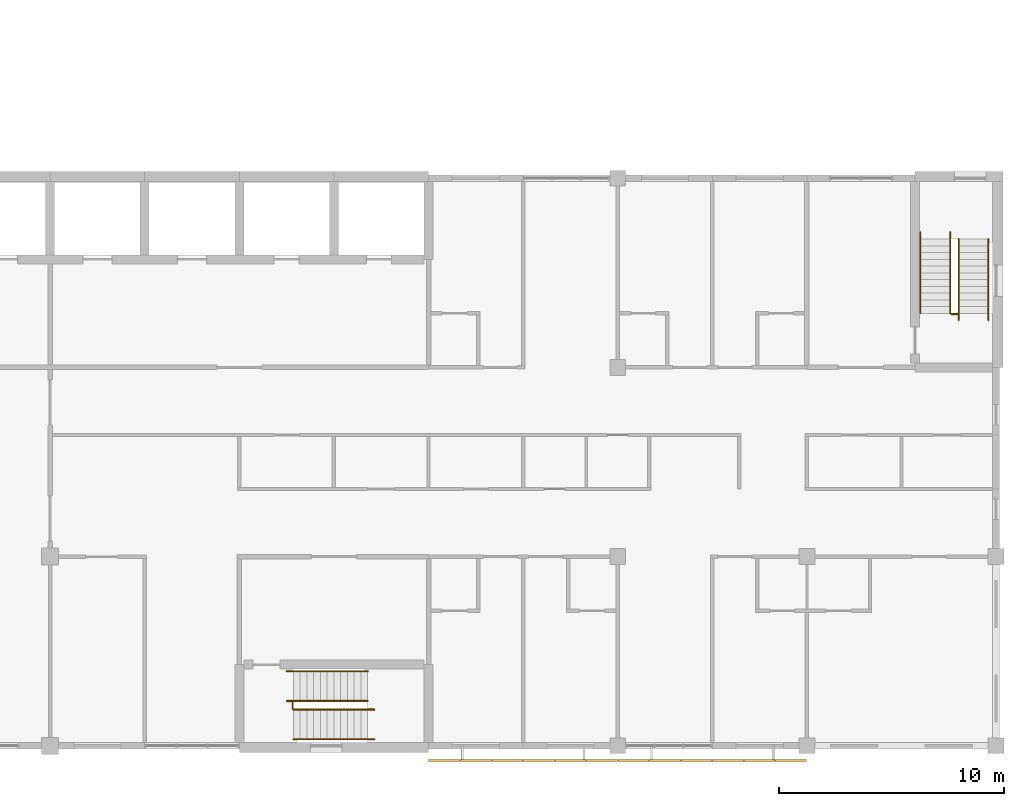
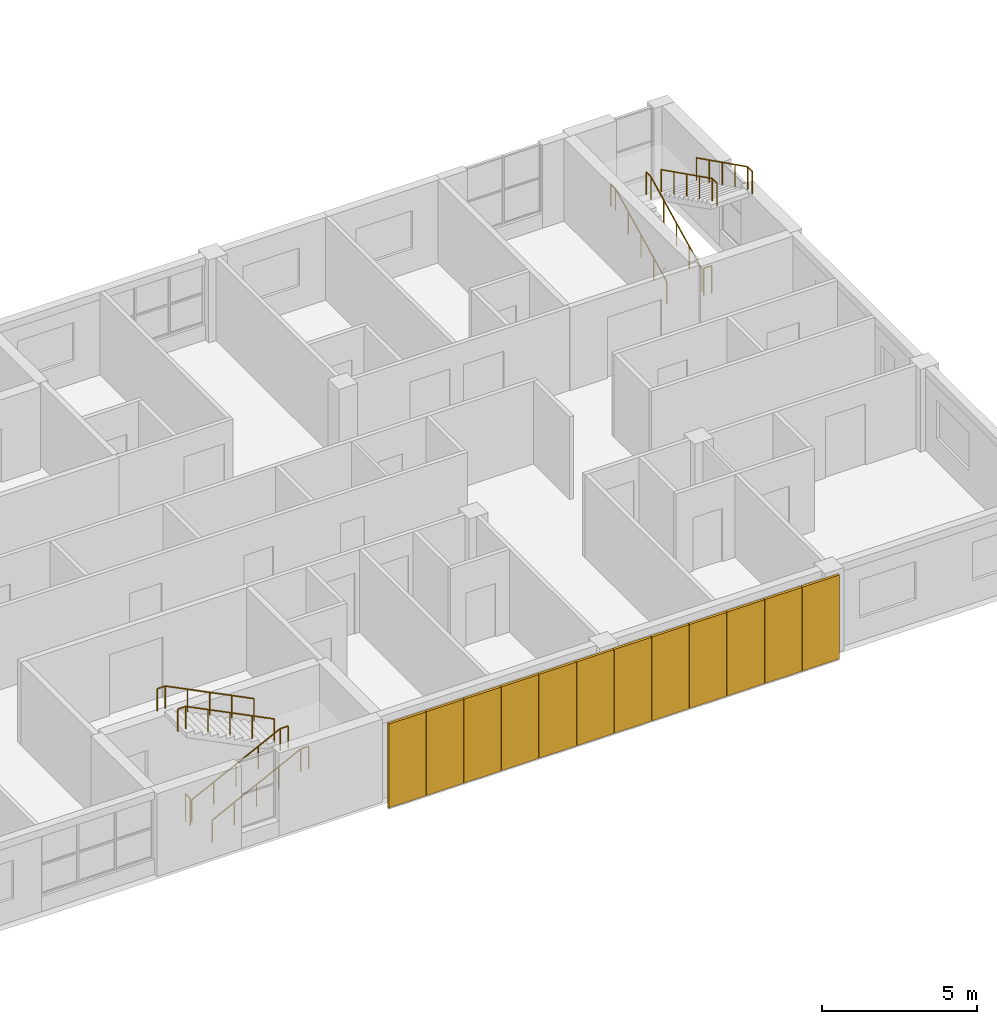
# One storey, part 45 of 45: 12 shading devices, 10 railings.
"""IFC4 building model written with IfcOpenShell, lengths in metres."""

from ifc_helpers import new_model, si_unit, direction, frame, origin, origin_2d, place, context, subcontext, project, spatial, rectangle, circle, extrude, material, layer, layer_set, type_object, element, save


model = new_model("IFC4")

# Units and contexts
model_context = context("Model", 3, precision=1e-05, world=origin(), true_north=direction((0.0, 1.0)))
body_context = subcontext(model_context, "Body", "Model", "MODEL_VIEW")
ifc_project = project(units=[si_unit("LENGTHUNIT", "METRE"), si_unit("AREAUNIT", "SQUARE_METRE"), si_unit("VOLUMEUNIT", "CUBIC_METRE"), si_unit("PLANEANGLEUNIT", "RADIAN"), si_unit("MASSUNIT", "GRAM", prefix="KILO")], contexts=[model_context])

# Site, building, storey
site_placement = place(None, origin())
site = spatial("IfcSite", under=ifc_project, at=site_placement, CompositionType="ELEMENT")
building_placement = place(site_placement, origin())
building = spatial("IfcBuilding", under=site, at=building_placement, Name="Yavir Park General Hospital", CompositionType="ELEMENT")
storey_placement = place(building_placement, frame((0.0, 0.0, 22.5)))
storey = spatial("IfcBuildingStorey", under=building, at=storey_placement, Name="L05", CompositionType="ELEMENT", Elevation=22.5)

# Shading devices
ifc_material_1 = material(Name="Precast concrete perforated block panel", Category="concrete")
ifc_layer = layer(ifc_material_1, 0.092041015625)
ifc_layer_set = layer_set([ifc_layer], Name="Precast concrete perforated block panel")
shading_device_type = type_object("IfcShadingDeviceType", Name="Precast breeze-block screen panel 1380 x 3300 x 92", PredefinedType="JALOUSIE", material=ifc_layer_set)
for number, where, z_axis, x_axis, name in (
    (1, (143.5, -0.64990234375, 0.0), (0.0, 0.0, 1.0), (1.0, 0.0, 0.0), "Screen panel S18.3.1"),
    (2, (144.89990234375, -0.64990234375, 0.0), (0.0, 0.0, 1.0), (1.0, 0.0, 0.0), "Screen panel S18.3.2"),
    (3, (146.300048828125, -0.64990234375, 0.0), (0.0, 0.0, 1.0), (1.0, 0.0, 0.0), "Screen panel S18.3.3"),
    (4, (147.699951171875, -0.64990234375, 0.0), (0.0, 0.0, 1.0), (1.0, 0.0, 0.0), "Screen panel S18.3.4"),
    (5, (149.10009765625, -0.64990234375, 0.0), (0.0, 0.0, 1.0), (1.0, 0.0, 0.0), "Screen panel S18.3.5"),
    (6, (150.5, -0.64990234375, 0.0), (0.0, 0.0, 1.0), (1.0, 0.0, 0.0), "Screen panel S18.3.6"),
    (7, (151.89990234375, -0.64990234375, 0.0), (0.0, 0.0, 1.0), (1.0, 0.0, 0.0), "Screen panel S19.3.1"),
    (8, (153.300048828125, -0.64990234375, 0.0), (0.0, 0.0, 1.0), (1.0, 0.0, 0.0), "Screen panel S19.3.2"),
    (9, (154.699951171875, -0.64990234375, 0.0), (0.0, 0.0, 1.0), (1.0, 0.0, 0.0), "Screen panel S19.3.3"),
    (10, (156.10009765625, -0.64990234375, 0.0), (0.0, 0.0, 1.0), (1.0, 0.0, 0.0), "Screen panel S19.3.4"),
    (11, (157.5, -0.64990234375, 0.0), (0.0, 0.0, 1.0), (1.0, 0.0, 0.0), "Screen panel S19.3.5"),
    (12, (158.89990234375, -0.64990234375, 0.0), (0.0, 0.0, 1.0), (1.0, 0.0, 0.0), "Screen panel S19.3.6"),
):
    element("IfcShadingDevice", number, at=place(storey_placement, frame(where, z_axis=z_axis, x_axis=x_axis)), inside=storey, type_object=shading_device_type, Name=name, PredefinedType="JALOUSIE", context=body_context, shape_type="SweptSolid", body=[
        extrude(rectangle(XDim=1.3798828125, YDim=0.092041015625, at=origin_2d()), origin(), (0.0, 0.0, 1.0), 3.300048828125),
    ])

# Railings
ifc_material_2 = material(Name="Steel balustrade with infill rods", Category="steel")
railing_type_1 = type_object("IfcRailingType", Name="Stair guard, steel balustrade 1100 mm", PredefinedType="GUARDRAIL", material=ifc_material_2)
railing_1_placement = place(storey_placement, frame((136.77001953125, 1.64990234375, 0.0)))
element("IfcRailing", 13, at=railing_1_placement, inside=storey, type_object=railing_type_1, Name="Stair well guard SU5 L05", PredefinedType="GUARDRAIL", context=body_context, shape_type="SweptSolid", body=[
    extrude(circle(Radius=0.02392578125, at=origin_2d()), frame((0.0, 0.0, 1.076171875), z_axis=(0.0, 1.0, 0.0), x_axis=(-1.0, 0.0, 0.0)), (0.0, 0.0, 1.0), 0.300048828125),
    extrude(circle(Radius=0.02099609375, at=origin_2d()), origin(), (0.0, 0.0, 1.0), 1.052001953125),
    extrude(circle(Radius=0.02099609375, at=origin_2d()), frame((0.0, 0.300048828125, 0.0)), (0.0, 0.0, 1.0), 1.052001953125),
])
railing_2_placement = place(storey_placement, frame((166.0, 19.169921875, 0.0)))
element("IfcRailing", 14, at=railing_2_placement, inside=storey, type_object=railing_type_1, Name="Stair well guard SU6 L05", PredefinedType="GUARDRAIL", context=body_context, shape_type="SweptSolid", body=[
    extrude(circle(Radius=0.02392578125, at=origin_2d()), frame((0.0, 0.0, 1.076171875), z_axis=(1.0, 0.0, 0.0), x_axis=(0.0, 1.0, 0.0)), (0.0, 0.0, 1.0), 0.300048828125),
    extrude(circle(Radius=0.02099609375, at=origin_2d()), origin(), (0.0, 0.0, 1.0), 1.052001953125),
    extrude(circle(Radius=0.02099609375, at=origin_2d()), frame((0.300048828125, 0.0, 0.0)), (0.0, 0.0, 1.0), 1.052001953125),
])
ifc_material_3 = material(Name="Stainless steel tube 48 mm", Category="steel")
railing_type_2 = type_object("IfcRailingType", Name="Stair handrail, steel tube, 900 mm above the nosings", PredefinedType="HANDRAIL", material=ifc_material_3)
for number, where, name in (
    (15, (136.800048828125, 0.2900390625, 0.14990234375), "Handrail SU5 L05 1"),
    (16, (136.800048828125, 1.610107421875, 0.14990234375), "Handrail SU5 L05 2"),
):
    element("IfcRailing", number, at=place(storey_placement, frame(where)), inside=storey, type_object=railing_type_2, Name=name, PredefinedType="HANDRAIL", context=body_context, shape_type="SweptSolid", body=[
        extrude(circle(Radius=0.02392578125, at=origin_2d()), frame((0.0, 0.0, 0.8759765625), z_axis=(0.894413956696, 0.0, 0.447240063129), x_axis=(0.0, 1.0, 0.0)), (0.0, 0.0, 1.0), 3.689697265625),
        extrude(circle(Radius=0.02392578125, at=origin_2d()), frame((3.300048828125, 0.0, 2.52587890625), z_axis=(1.0, 0.0, 0.0), x_axis=(0.0, 1.0, 0.0)), (0.0, 0.0, 1.0), 0.2998046875),
        extrude(circle(Radius=0.02099609375, at=origin_2d()), origin(), (0.0, 0.0, 1.0), 0.851806640625),
        extrude(circle(Radius=0.02099609375, at=origin_2d()), frame((0.824951171875, 0.0, 0.41259765625)), (0.0, 0.0, 1.0), 0.851806640625),
        extrude(circle(Radius=0.02099609375, at=origin_2d()), frame((1.64990234375, 0.0, 0.8251953125)), (0.0, 0.0, 1.0), 0.851806640625),
        extrude(circle(Radius=0.02099609375, at=origin_2d()), frame((2.47509765625, 0.0, 1.237548828125)), (0.0, 0.0, 1.0), 0.851806640625),
        extrude(circle(Radius=0.02099609375, at=origin_2d()), frame((3.300048828125, 0.0, 1.650146484375)), (0.0, 0.0, 1.0), 0.851806640625),
        extrude(circle(Radius=0.02099609375, at=origin_2d()), frame((3.599853515625, 0.0, 1.650146484375)), (0.0, 0.0, 1.0), 0.851806640625),
    ])
for number, where, name in (
    (17, (140.10009765625, 3.31005859375, 1.949951171875), "Handrail SU5 L05 3"),
    (18, (140.10009765625, 1.989990234375, 1.949951171875), "Handrail SU5 L05 4"),
):
    element("IfcRailing", number, at=place(storey_placement, frame(where)), inside=storey, type_object=railing_type_2, Name=name, PredefinedType="HANDRAIL", context=body_context, shape_type="SweptSolid", body=[
        extrude(circle(Radius=0.02392578125, at=origin_2d()), frame((0.0, 0.0, 0.8759765625), z_axis=(-0.894413956696, 0.0, 0.447240063129), x_axis=(0.0, -1.0, 0.0)), (0.0, 0.0, 1.0), 3.689697265625),
        extrude(circle(Radius=0.02392578125, at=origin_2d()), frame((-3.300048828125, 0.0, 2.52587890625), z_axis=(-1.0, 0.0, 0.0), x_axis=(0.0, -1.0, 0.0)), (0.0, 0.0, 1.0), 0.300048828125),
        extrude(circle(Radius=0.02099609375, at=origin_2d()), origin(), (0.0, 0.0, 1.0), 0.851806640625),
        extrude(circle(Radius=0.02099609375, at=origin_2d()), frame((-0.824951171875, 0.0, 0.41259765625)), (0.0, 0.0, 1.0), 0.851806640625),
        extrude(circle(Radius=0.02099609375, at=origin_2d()), frame((-1.64990234375, 0.0, 0.8251953125)), (0.0, 0.0, 1.0), 0.851806640625),
        extrude(circle(Radius=0.02099609375, at=origin_2d()), frame((-2.47509765625, 0.0, 1.237548828125)), (0.0, 0.0, 1.0), 0.851806640625),
        extrude(circle(Radius=0.02099609375, at=origin_2d()), frame((-3.300048828125, 0.0, 1.650146484375)), (0.0, 0.0, 1.0), 0.851806640625),
        extrude(circle(Radius=0.02099609375, at=origin_2d()), frame((-3.60009765625, 0.0, 1.650146484375)), (0.0, 0.0, 1.0), 0.851806640625),
    ])
for number, where, name in (
    (19, (164.639892578125, 19.199951171875, 0.14990234375), "Handrail SU6 L05 1"),
    (20, (165.9599609375, 19.199951171875, 0.14990234375), "Handrail SU6 L05 2"),
):
    element("IfcRailing", number, at=place(storey_placement, frame(where)), inside=storey, type_object=railing_type_2, Name=name, PredefinedType="HANDRAIL", context=body_context, shape_type="SweptSolid", body=[
        extrude(circle(Radius=0.02392578125, at=origin_2d()), frame((0.0, 0.0, 0.8759765625), z_axis=(0.0, 0.894413956696, 0.447240063129), x_axis=(-1.0, 0.0, 0.0)), (0.0, 0.0, 1.0), 3.689697265625),
        extrude(circle(Radius=0.02392578125, at=origin_2d()), frame((0.0, 3.300048828125, 2.52587890625), z_axis=(0.0, 1.0, 0.0), x_axis=(-1.0, 0.0, 0.0)), (0.0, 0.0, 1.0), 0.300048828125),
        extrude(circle(Radius=0.02099609375, at=origin_2d()), origin(), (0.0, 0.0, 1.0), 0.851806640625),
        extrude(circle(Radius=0.02099609375, at=origin_2d()), frame((0.0, 0.824951171875, 0.41259765625)), (0.0, 0.0, 1.0), 0.851806640625),
        extrude(circle(Radius=0.02099609375, at=origin_2d()), frame((0.0, 1.64990234375, 0.8251953125)), (0.0, 0.0, 1.0), 0.851806640625),
        extrude(circle(Radius=0.02099609375, at=origin_2d()), frame((0.0, 2.47509765625, 1.237548828125)), (0.0, 0.0, 1.0), 0.851806640625),
        extrude(circle(Radius=0.02099609375, at=origin_2d()), frame((0.0, 3.300048828125, 1.650146484375)), (0.0, 0.0, 1.0), 0.851806640625),
        extrude(circle(Radius=0.02099609375, at=origin_2d()), frame((0.0, 3.60009765625, 1.650146484375)), (0.0, 0.0, 1.0), 0.851806640625),
    ])
for number, where, name in (
    (21, (167.659912109375, 22.5, 1.949951171875), "Handrail SU6 L05 3"),
    (22, (166.340087890625, 22.5, 1.949951171875), "Handrail SU6 L05 4"),
):
    element("IfcRailing", number, at=place(storey_placement, frame(where)), inside=storey, type_object=railing_type_2, Name=name, PredefinedType="HANDRAIL", context=body_context, shape_type="SweptSolid", body=[
        extrude(circle(Radius=0.02392578125, at=origin_2d()), frame((0.0, 0.0, 0.8759765625), z_axis=(0.0, -0.894413956696, 0.447240063129), x_axis=(1.0, 0.0, 0.0)), (0.0, 0.0, 1.0), 3.689697265625),
        extrude(circle(Radius=0.02392578125, at=origin_2d()), frame((0.0, -3.300048828125, 2.52587890625), z_axis=(0.0, -1.0, 0.0), x_axis=(1.0, 0.0, 0.0)), (0.0, 0.0, 1.0), 0.300048828125),
        extrude(circle(Radius=0.02099609375, at=origin_2d()), origin(), (0.0, 0.0, 1.0), 0.851806640625),
        extrude(circle(Radius=0.02099609375, at=origin_2d()), frame((0.0, -0.824951171875, 0.41259765625)), (0.0, 0.0, 1.0), 0.851806640625),
        extrude(circle(Radius=0.02099609375, at=origin_2d()), frame((0.0, -1.64990234375, 0.8251953125)), (0.0, 0.0, 1.0), 0.851806640625),
        extrude(circle(Radius=0.02099609375, at=origin_2d()), frame((0.0, -2.47509765625, 1.237548828125)), (0.0, 0.0, 1.0), 0.851806640625),
        extrude(circle(Radius=0.02099609375, at=origin_2d()), frame((0.0, -3.300048828125, 1.650146484375)), (0.0, 0.0, 1.0), 0.851806640625),
        extrude(circle(Radius=0.02099609375, at=origin_2d()), frame((0.0, -3.60009765625, 1.650146484375)), (0.0, 0.0, 1.0), 0.851806640625),
    ])

save(model, "model.ifc")
